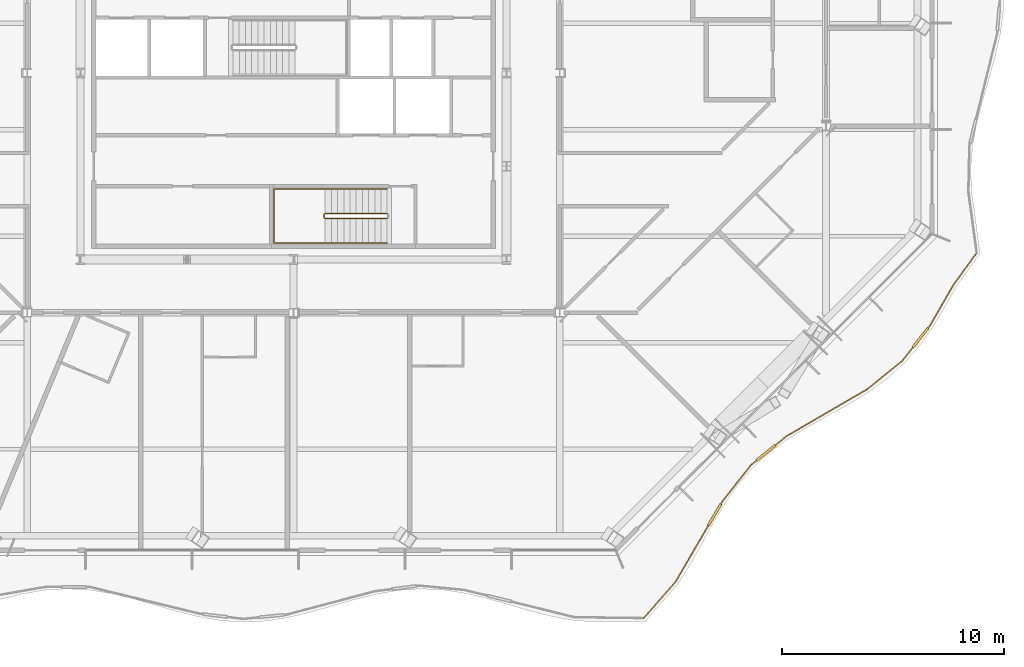
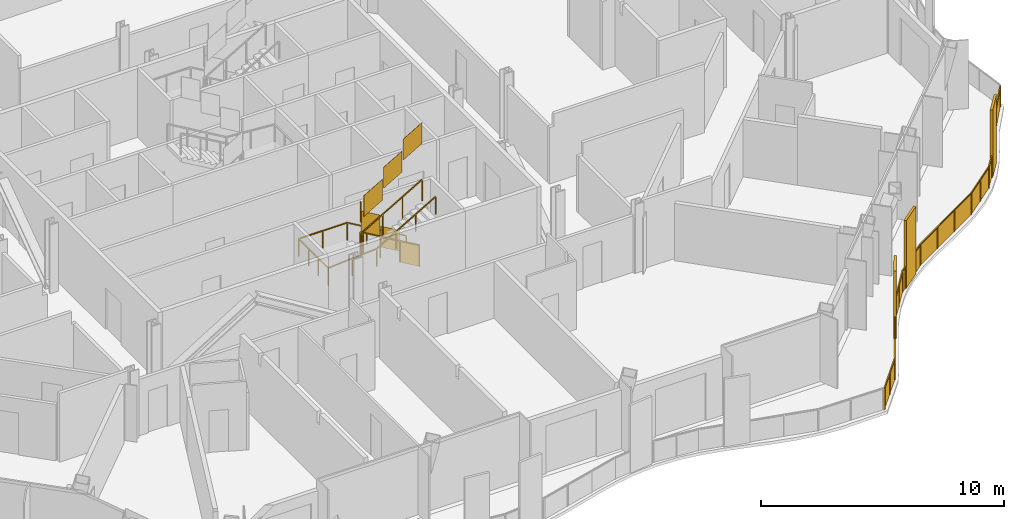
# One storey, part 18 of 22: 3 railings.
"""IFC4 building model written with IfcOpenShell, lengths in metres."""

from ifc_helpers import new_model, si_unit, direction, frame, origin, origin_2d, place, context, subcontext, project, spatial, polyline, rectangle, outline, extrude, material, type_object, element, save


model = new_model("IFC4")

# Units and contexts
model_context = context("Model", 3, precision=1e-05, world=origin(), true_north=direction((0.0, 1.0)))
body_context = subcontext(model_context, "Body", "Model", "MODEL_VIEW")
ifc_project = project(units=[si_unit("LENGTHUNIT", "METRE"), si_unit("AREAUNIT", "SQUARE_METRE"), si_unit("VOLUMEUNIT", "CUBIC_METRE"), si_unit("PLANEANGLEUNIT", "RADIAN"), si_unit("MASSUNIT", "GRAM", prefix="KILO")], contexts=[model_context])

# Site, building, storey
site_placement = place(None, origin())
site = spatial("IfcSite", under=ifc_project, at=site_placement, CompositionType="ELEMENT")
building_placement = place(site_placement, origin())
building = spatial("IfcBuilding", under=site, at=building_placement, Name="Cairn Pilgrim Tower", CompositionType="ELEMENT")
storey_placement = place(building_placement, frame((0.0, 0.0, 175.800048828125)))
storey = spatial("IfcBuildingStorey", under=building, at=storey_placement, Name="L44", CompositionType="ELEMENT", Elevation=175.800048828125)

# Railings
ifc_material_1 = material(Name="Bronze anodised aluminium rail, posts and fin screens with laminated glass infill", Category="aluminium")
railing_type_1 = type_object("IfcRailingType", Name="BALCONY GUARD WITH FIN SCREENS", PredefinedType="GUARDRAIL", material=ifc_material_1)
railing_1_placement = place(storey_placement, frame((22.9853515625, -22.162353515625, 0.0)))
element("IfcRailing", 1, at=railing_1_placement, inside=storey, type_object=railing_type_1, Name="Balcony guard BGF-2 with fin screens", PredefinedType="GUARDRAIL", context=body_context, shape_type="SweptSolid", body=[
    extrude(rectangle(XDim=0.050048828125, YDim=0.050048828125, at=origin_2d()), frame((0.0, 0.0, 1.0751953125), z_axis=(0.659580797082, 0.751633668831, 0.0), x_axis=(-0.751633668831, 0.659580797082, 0.0)), (0.0, 0.0, 1.0), 2.166748046875),
    extrude(rectangle(XDim=1.10009765625, YDim=0.110107421875, at=origin_2d()), frame((3.1953125, 4.659912109375, 0.0), z_axis=(0.0, 0.0, 1.0), x_axis=(0.503412831397, 0.864046017979, 0.0)), (0.0, 0.0, 1.0), 3.39990234375),
    extrude(rectangle(XDim=0.050048828125, YDim=0.050048828125, at=origin_2d()), frame((1.42919921875, 1.628662109375, 1.0751953125), z_axis=(0.503412831397, 0.864046017979, 0.0), x_axis=(-0.864046017979, 0.503412831397, 0.0)), (0.0, 0.0, 1.0), 2.9580078125),
    extrude(rectangle(XDim=0.050048828125, YDim=0.050048828125, at=origin_2d()), frame((3.47216796875, 5.135009765625, 1.0751953125), z_axis=(0.503412831397, 0.864046017979, 0.0), x_axis=(-0.864046017979, 0.503412831397, 0.0)), (0.0, 0.0, 1.0), 0.14990234375),
    extrude(rectangle(XDim=0.050048828125, YDim=0.050048828125, at=origin_2d()), frame((3.547607421875, 5.2646484375, 1.0751953125), z_axis=(0.618558063068, 0.785739093219, 0.0), x_axis=(-0.785739093219, 0.618558063068, 0.0)), (0.0, 0.0, 1.0), 2.078125),
    extrude(rectangle(XDim=1.10009765625, YDim=0.110107421875, at=origin_2d()), frame((5.5078125, 7.445068359375, 0.0), z_axis=(0.0, 0.0, 1.0), x_axis=(0.776523982091, 0.630087696465, 0.0)), (0.0, 0.0, 1.0), 3.39990234375),
    extrude(rectangle(XDim=0.050048828125, YDim=0.050048828125, at=origin_2d()), frame((4.8330078125, 6.8974609375, 1.0751953125), z_axis=(0.776523982091, 0.630087696465, 0.0), x_axis=(-0.630087696465, 0.776523982091, 0.0)), (0.0, 0.0, 1.0), 0.31884765625),
    extrude(rectangle(XDim=0.050048828125, YDim=0.050048828125, at=origin_2d()), frame((5.934814453125, 7.79150390625, 1.0751953125), z_axis=(0.776523982091, 0.630087696465, 0.0), x_axis=(-0.630087696465, 0.776523982091, 0.0)), (0.0, 0.0, 1.0), 0.65673828125),
    extrude(rectangle(XDim=0.050048828125, YDim=0.050048828125, at=origin_2d()), frame((6.44482421875, 8.205322265625, 1.0751953125), z_axis=(0.864224185594, 0.503106904181, 0.0), x_axis=(-0.503106904181, 0.864224185594, 0.0)), (0.0, 0.0, 1.0), 4.212646484375),
    extrude(rectangle(XDim=0.050048828125, YDim=0.050048828125, at=origin_2d()), frame((10.08544921875, 10.32470703125, 1.0751953125), z_axis=(0.776461523916, 0.630164662512, 0.0), x_axis=(-0.630164662512, 0.776461523916, 0.0)), (0.0, 0.0, 1.0), 2.019287109375),
    extrude(rectangle(XDim=1.10009765625, YDim=0.110107421875, at=origin_2d()), frame((12.468017578125, 12.63232421875, 0.0), z_axis=(0.0, 0.0, 1.0), x_axis=(0.618450225482, 0.78582397431, 0.0)), (0.0, 0.0, 1.0), 3.39990234375),
    extrude(rectangle(XDim=0.050048828125, YDim=0.050048828125, at=origin_2d()), frame((11.6533203125, 11.59716796875, 1.0751953125), z_axis=(0.618450225482, 0.78582397431, 0.0), x_axis=(-0.78582397431, 0.618450225482, 0.0)), (0.0, 0.0, 1.0), 0.767333984375),
    extrude(rectangle(XDim=0.050048828125, YDim=0.050048828125, at=origin_2d()), frame((12.80810546875, 13.064453125, 1.0751953125), z_axis=(0.618450225482, 0.78582397431, 0.0), x_axis=(-0.78582397431, 0.618450225482, 0.0)), (0.0, 0.0, 1.0), 0.15576171875),
    extrude(rectangle(XDim=0.050048828125, YDim=0.050048828125, at=origin_2d()), frame((12.904541015625, 13.18701171875, 1.0751953125), z_axis=(0.498246823392, 0.86703523745, 0.0), x_axis=(-0.86703523745, 0.498246823392, 0.0)), (0.0, 0.0, 1.0), 2.1064453125),
    extrude(rectangle(XDim=0.050048828125, YDim=0.050048828125, at=origin_2d()), frame((13.9541015625, 15.013427734375, 1.0751953125), z_axis=(0.587371348525, 0.809317551355, 0.0), x_axis=(-0.809317551355, 0.587371348525, 0.0)), (0.0, 0.0, 1.0), 1.7236328125),
    extrude(rectangle(XDim=0.050048828125, YDim=0.050048828125, at=origin_2d()), origin(), (0.0, 0.0, 1.0), 1.050048828125),
    extrude(rectangle(XDim=0.050048828125, YDim=0.050048828125, at=origin_2d()), frame((0.714599609375, 0.814453125, 0.0)), (0.0, 0.0, 1.0), 1.050048828125),
    extrude(rectangle(XDim=0.050048828125, YDim=0.050048828125, at=origin_2d()), frame((1.42919921875, 1.628662109375, 0.0)), (0.0, 0.0, 1.0), 1.050048828125),
    extrude(rectangle(XDim=0.050048828125, YDim=0.050048828125, at=origin_2d()), frame((2.16748046875, 2.895751953125, 0.0)), (0.0, 0.0, 1.0), 1.050048828125),
    extrude(rectangle(XDim=0.050048828125, YDim=0.050048828125, at=origin_2d()), frame((2.90576171875, 4.162841796875, 0.0)), (0.0, 0.0, 1.0), 1.050048828125),
    extrude(rectangle(XDim=0.050048828125, YDim=0.050048828125, at=origin_2d()), frame((3.484619140625, 5.15673828125, 0.0)), (0.0, 0.0, 1.0), 1.050048828125),
    extrude(rectangle(XDim=0.050048828125, YDim=0.050048828125, at=origin_2d()), frame((3.547607421875, 5.2646484375, 0.0)), (0.0, 0.0, 1.0), 1.050048828125),
    extrude(rectangle(XDim=0.050048828125, YDim=0.050048828125, at=origin_2d()), frame((4.1904296875, 6.0810546875, 0.0)), (0.0, 0.0, 1.0), 1.050048828125),
    extrude(rectangle(XDim=0.050048828125, YDim=0.050048828125, at=origin_2d()), frame((4.8330078125, 6.8974609375, 0.0)), (0.0, 0.0, 1.0), 1.050048828125),
    extrude(rectangle(XDim=0.050048828125, YDim=0.050048828125, at=origin_2d()), frame((5.061279296875, 7.08251953125, 0.0)), (0.0, 0.0, 1.0), 1.050048828125),
    extrude(rectangle(XDim=0.050048828125, YDim=0.050048828125, at=origin_2d()), frame((5.954345703125, 7.807373046875, 0.0)), (0.0, 0.0, 1.0), 1.050048828125),
    extrude(rectangle(XDim=0.050048828125, YDim=0.050048828125, at=origin_2d()), frame((6.44482421875, 8.205322265625, 0.0)), (0.0, 0.0, 1.0), 1.050048828125),
    extrude(rectangle(XDim=0.050048828125, YDim=0.050048828125, at=origin_2d()), frame((7.658447265625, 8.911865234375, 0.0)), (0.0, 0.0, 1.0), 1.050048828125),
    extrude(rectangle(XDim=0.050048828125, YDim=0.050048828125, at=origin_2d()), frame((8.871826171875, 9.6181640625, 0.0)), (0.0, 0.0, 1.0), 1.050048828125),
    extrude(rectangle(XDim=0.050048828125, YDim=0.050048828125, at=origin_2d()), frame((10.08544921875, 10.32470703125, 0.0)), (0.0, 0.0, 1.0), 1.050048828125),
    extrude(rectangle(XDim=0.050048828125, YDim=0.050048828125, at=origin_2d()), frame((10.869384765625, 10.9609375, 0.0)), (0.0, 0.0, 1.0), 1.050048828125),
    extrude(rectangle(XDim=0.050048828125, YDim=0.050048828125, at=origin_2d()), frame((11.6533203125, 11.59716796875, 0.0)), (0.0, 0.0, 1.0), 1.050048828125),
    extrude(rectangle(XDim=0.050048828125, YDim=0.050048828125, at=origin_2d()), frame((12.1123046875, 12.180419921875, 0.0)), (0.0, 0.0, 1.0), 1.050048828125),
    extrude(rectangle(XDim=0.050048828125, YDim=0.050048828125, at=origin_2d()), frame((12.82373046875, 13.084228515625, 0.0)), (0.0, 0.0, 1.0), 1.050048828125),
    extrude(rectangle(XDim=0.050048828125, YDim=0.050048828125, at=origin_2d()), frame((12.904541015625, 13.18701171875, 0.0)), (0.0, 0.0, 1.0), 1.050048828125),
    extrude(rectangle(XDim=0.050048828125, YDim=0.050048828125, at=origin_2d()), frame((13.42919921875, 14.10009765625, 0.0)), (0.0, 0.0, 1.0), 1.050048828125),
    extrude(rectangle(XDim=0.050048828125, YDim=0.050048828125, at=origin_2d()), frame((13.9541015625, 15.013427734375, 0.0)), (0.0, 0.0, 1.0), 1.050048828125),
    extrude(rectangle(XDim=0.050048828125, YDim=0.050048828125, at=origin_2d()), frame((14.966552734375, 16.408447265625, 0.0)), (0.0, 0.0, 1.0), 1.050048828125),
    extrude(outline(polyline([(0.02490234375, 0.0), (1.058349609375, 0.0), (1.058349609375, 1.050048828125), (0.02490234375, 1.050048828125), (0.02490234375, 0.0)])), frame((-0.00439453125, 0.00390625, 0.0), z_axis=(0.751633668831, -0.659580797082, 0.0), x_axis=(0.659580797082, 0.751633668831, 0.0)), (0.0, 0.0, 1.0), 0.011962890625),
    extrude(outline(polyline([(0.02490234375, 0.0), (1.058349609375, 0.0), (1.058349609375, 1.050048828125), (0.02490234375, 1.050048828125), (0.02490234375, 0.0)])), frame((0.710205078125, 0.818359375, 0.0), z_axis=(0.751633668831, -0.659580797082, 0.0), x_axis=(0.659580797082, 0.751633668831, 0.0)), (0.0, 0.0, 1.0), 0.011962890625),
    extrude(outline(polyline([(0.02490234375, 0.0), (1.44140625, 0.0), (1.44140625, 1.050048828125), (0.02490234375, 1.050048828125), (0.02490234375, 0.0)])), frame((1.424072265625, 1.631591796875, 0.0), z_axis=(0.864046017979, -0.503412831397, 0.0), x_axis=(0.503412831397, 0.864046017979, 0.0)), (0.0, 0.0, 1.0), 0.011962890625),
    extrude(outline(polyline([(0.02490234375, 0.0), (1.44140625, 0.0), (1.44140625, 1.050048828125), (0.02490234375, 1.050048828125), (0.02490234375, 0.0)])), frame((2.162353515625, 2.89892578125, 0.0), z_axis=(0.864046017979, -0.503412831397, 0.0), x_axis=(0.503412831397, 0.864046017979, 0.0)), (0.0, 0.0, 1.0), 0.011962890625),
    extrude(outline(polyline([(0.02490234375, 0.0), (0.099853515625, 0.0), (0.099853515625, 1.050048828125), (0.02490234375, 1.050048828125), (0.02490234375, 0.0)])), frame((3.4794921875, 5.15966796875, 0.0), z_axis=(0.864046017979, -0.503412831397, 0.0), x_axis=(0.503412831397, 0.864046017979, 0.0)), (0.0, 0.0, 1.0), 0.011962890625),
    extrude(outline(polyline([(0.02490234375, 0.0), (1.013916015625, 0.0), (1.013916015625, 1.050048828125), (0.02490234375, 1.050048828125), (0.02490234375, 0.0)])), frame((3.54296875, 5.268310546875, 0.0), z_axis=(0.785739093219, -0.618558063068, 0.0), x_axis=(0.618558063068, 0.785739093219, 0.0)), (0.0, 0.0, 1.0), 0.011962890625),
    extrude(outline(polyline([(0.02490234375, 0.0), (1.013916015625, 0.0), (1.013916015625, 1.050048828125), (0.02490234375, 1.050048828125), (0.02490234375, 0.0)])), frame((4.185546875, 6.084716796875, 0.0), z_axis=(0.785739093219, -0.618558063068, 0.0), x_axis=(0.618558063068, 0.785739093219, 0.0)), (0.0, 0.0, 1.0), 0.011962890625),
    extrude(outline(polyline([(0.02490234375, 0.0), (0.268798828125, 0.0), (0.268798828125, 1.050048828125), (0.02490234375, 1.050048828125), (0.02490234375, 0.0)])), frame((4.829345703125, 6.902099609375, 0.0), z_axis=(0.630087696465, -0.776523982091, 0.0), x_axis=(0.776523982091, 0.630087696465, 0.0)), (0.0, 0.0, 1.0), 0.011962890625),
    extrude(outline(polyline([(0.02490234375, 0.0), (0.606689453125, 0.0), (0.606689453125, 1.050048828125), (0.02490234375, 1.050048828125), (0.02490234375, 0.0)])), frame((5.950439453125, 7.81201171875, 0.0), z_axis=(0.630087696465, -0.776523982091, 0.0), x_axis=(0.776523982091, 0.630087696465, 0.0)), (0.0, 0.0, 1.0), 0.011962890625),
    extrude(outline(polyline([(0.02490234375, 0.0), (1.379150390625, 0.0), (1.379150390625, 1.050048828125), (0.02490234375, 1.050048828125), (0.02490234375, 0.0)])), frame((6.44189453125, 8.21044921875, 0.0), z_axis=(0.503106904181, -0.864224185594, 0.0), x_axis=(0.864224185594, 0.503106904181, 0.0)), (0.0, 0.0, 1.0), 0.011962890625),
    extrude(outline(polyline([(0.02490234375, 0.0), (1.379150390625, 0.0), (1.379150390625, 1.050048828125), (0.02490234375, 1.050048828125), (0.02490234375, 0.0)])), frame((7.6552734375, 8.9169921875, 0.0), z_axis=(0.503106904181, -0.864224185594, 0.0), x_axis=(0.864224185594, 0.503106904181, 0.0)), (0.0, 0.0, 1.0), 0.011962890625),
    extrude(outline(polyline([(0.02490234375, 0.0), (1.379150390625, 0.0), (1.379150390625, 1.050048828125), (0.02490234375, 1.050048828125), (0.02490234375, 0.0)])), frame((8.868896484375, 9.62353515625, 0.0), z_axis=(0.503106904181, -0.864224185594, 0.0), x_axis=(0.864224185594, 0.503106904181, 0.0)), (0.0, 0.0, 1.0), 0.011962890625),
    extrude(outline(polyline([(0.02490234375, 0.0), (0.984619140625, 0.0), (0.984619140625, 1.050048828125), (0.02490234375, 1.050048828125), (0.02490234375, 0.0)])), frame((10.081787109375, 10.329345703125, 0.0), z_axis=(0.630164662512, -0.776461523916, 0.0), x_axis=(0.776461523916, 0.630164662512, 0.0)), (0.0, 0.0, 1.0), 0.011962890625),
    extrude(outline(polyline([(0.02490234375, 0.0), (0.984619140625, 0.0), (0.984619140625, 1.050048828125), (0.02490234375, 1.050048828125), (0.02490234375, 0.0)])), frame((10.86572265625, 10.965576171875, 0.0), z_axis=(0.630164662512, -0.776461523916, 0.0), x_axis=(0.776461523916, 0.630164662512, 0.0)), (0.0, 0.0, 1.0), 0.011962890625),
    extrude(outline(polyline([(0.02490234375, 0.0), (0.71728515625, 0.0), (0.71728515625, 1.050048828125), (0.02490234375, 1.050048828125), (0.02490234375, 0.0)])), frame((11.648681640625, 11.600830078125, 0.0), z_axis=(0.78582397431, -0.618450225482, 0.0), x_axis=(0.618450225482, 0.78582397431, 0.0)), (0.0, 0.0, 1.0), 0.011962890625),
    extrude(outline(polyline([(0.02490234375, 0.0), (0.105712890625, 0.0), (0.105712890625, 1.050048828125), (0.02490234375, 1.050048828125), (0.02490234375, 0.0)])), frame((12.81884765625, 13.087890625, 0.0), z_axis=(0.78582397431, -0.618450225482, 0.0), x_axis=(0.618450225482, 0.78582397431, 0.0)), (0.0, 0.0, 1.0), 0.011962890625),
    extrude(outline(polyline([(0.02490234375, 0.0), (1.0283203125, 0.0), (1.0283203125, 1.050048828125), (0.02490234375, 1.050048828125), (0.02490234375, 0.0)])), frame((12.8994140625, 13.18994140625, 0.0), z_axis=(0.86703523745, -0.498246823392, 0.0), x_axis=(0.498246823392, 0.86703523745, 0.0)), (0.0, 0.0, 1.0), 0.011962890625),
    extrude(outline(polyline([(0.02490234375, 0.0), (1.0283203125, 0.0), (1.0283203125, 1.050048828125), (0.02490234375, 1.050048828125), (0.02490234375, 0.0)])), frame((13.424072265625, 14.103271484375, 0.0), z_axis=(0.86703523745, -0.498246823392, 0.0), x_axis=(0.498246823392, 0.86703523745, 0.0)), (0.0, 0.0, 1.0), 0.011962890625),
    extrude(outline(polyline([(0.02490234375, 0.0), (1.69873046875, 0.0), (1.69873046875, 1.050048828125), (0.02490234375, 1.050048828125), (0.02490234375, 0.0)])), frame((13.94921875, 15.016845703125, 0.0), z_axis=(0.809317551355, -0.587371348525, 0.0), x_axis=(0.587371348525, 0.809317551355, 0.0)), (0.0, 0.0, 1.0), 0.011962890625),
])
ifc_material_2 = material(Name="Painted steel", Category="steel")
railing_type_2 = type_object("IfcRailingType", Name="STAIR GUARD 1100", PredefinedType="GUARDRAIL", material=ifc_material_2)
railing_2_placement = place(storey_placement, frame((11.425048828125, -3.925048828125, 0.16357421875)))
element("IfcRailing", 2, at=railing_2_placement, inside=storey, type_object=railing_type_2, Name="L44 ST-A stair guard 1", PredefinedType="GUARDRAIL", context=body_context, shape_type="SweptSolid", body=[
    extrude(rectangle(XDim=0.048095703125, YDim=0.048095703125, at=origin_2d()), frame((0.0, 0.0, 1.076171875), z_axis=(-0.863360870873, 0.0, 0.504586966384), x_axis=(0.0, -1.0, 0.0)), (0.0, 0.0, 1.0), 3.2431640625),
    extrude(rectangle(XDim=0.048095703125, YDim=0.048095703125, at=origin_2d()), frame((-2.800048828125, 0.0, 2.71240234375), z_axis=(-0.707106781187, -0.707106781187, 0.0), x_axis=(0.707106781187, -0.707106781187, 0.0)), (0.0, 0.0, 1.0), 0.07080078125),
    extrude(rectangle(XDim=0.048095703125, YDim=0.048095703125, at=origin_2d()), frame((-2.85009765625, -0.050048828125, 2.71240234375), z_axis=(0.0, -1.0, 0.0), x_axis=(1.0, 0.0, 0.0)), (0.0, 0.0, 1.0), 0.125),
    extrude(rectangle(XDim=0.048095703125, YDim=0.048095703125, at=origin_2d()), frame((-2.85009765625, -0.175048828125, 2.71240234375), z_axis=(0.280916556609, -0.279546231943, 0.91811752648), x_axis=(0.705375805398, 0.708833529934, 0.0)), (0.0, 0.0, 1.0), 0.17822265625),
    extrude(rectangle(XDim=0.048095703125, YDim=0.048095703125, at=origin_2d()), frame((-2.800048828125, -0.224853515625, 2.8759765625), z_axis=(0.863393664356, 0.0, 0.504530851732), x_axis=(0.0, 1.0, 0.0)), (0.0, 0.0, 1.0), 3.2431640625),
    extrude(rectangle(XDim=0.0419921875, YDim=0.0419921875, at=origin_2d()), origin(), (0.0, 0.0, 1.0), 1.052001953125),
    extrude(rectangle(XDim=0.0419921875, YDim=0.0419921875, at=origin_2d()), frame((-0.933349609375, 0.0, 0.54541015625)), (0.0, 0.0, 1.0), 1.052001953125),
    extrude(rectangle(XDim=0.0419921875, YDim=0.0419921875, at=origin_2d()), frame((-1.86669921875, 0.0, 1.091064453125)), (0.0, 0.0, 1.0), 1.052001953125),
    extrude(rectangle(XDim=0.0419921875, YDim=0.0419921875, at=origin_2d()), frame((-2.800048828125, 0.0, 1.636474609375)), (0.0, 0.0, 1.0), 1.052001953125),
    extrude(rectangle(XDim=0.0419921875, YDim=0.0419921875, at=origin_2d()), frame((-2.85009765625, -0.050048828125, 1.636474609375)), (0.0, 0.0, 1.0), 1.052001953125),
    extrude(rectangle(XDim=0.0419921875, YDim=0.0419921875, at=origin_2d()), frame((-2.85009765625, -0.175048828125, 1.636474609375)), (0.0, 0.0, 1.0), 1.052001953125),
    extrude(rectangle(XDim=0.0419921875, YDim=0.0419921875, at=origin_2d()), frame((-2.800048828125, -0.224853515625, 1.800048828125)), (0.0, 0.0, 1.0), 1.052001953125),
    extrude(rectangle(XDim=0.0419921875, YDim=0.0419921875, at=origin_2d()), frame((-1.86669921875, -0.224853515625, 2.345458984375)), (0.0, 0.0, 1.0), 1.052001953125),
    extrude(rectangle(XDim=0.0419921875, YDim=0.0419921875, at=origin_2d()), frame((-0.933349609375, -0.224853515625, 2.890869140625)), (0.0, 0.0, 1.0), 1.052001953125),
    extrude(rectangle(XDim=0.0419921875, YDim=0.0419921875, at=origin_2d()), frame((0.0, -0.224853515625, 3.436279296875)), (0.0, 0.0, 1.0), 1.052001953125),
    extrude(outline(polyline([(0.02099609375, 0.01220703125), (0.912353515625, 0.533203125), (0.912353515625, 1.585205078125), (0.02099609375, 1.064208984375), (0.02099609375, 0.01220703125)])), frame((0.0, -0.005859375, 0.0), z_axis=(0.0, 1.0, 0.0), x_axis=(-1.0, 0.0, 0.0)), (0.0, 0.0, 1.0), 0.011962890625),
    extrude(outline(polyline([(0.02099609375, 0.557861328125), (0.912353515625, 1.07861328125), (0.912353515625, 2.130615234375), (0.02099609375, 1.60986328125), (0.02099609375, 0.557861328125)])), frame((-0.933349609375, -0.005859375, 0.54541015625), z_axis=(0.0, 1.0, 0.0), x_axis=(-1.0, 0.0, 0.0)), (0.0, 0.0, 1.0), 0.011962890625),
    extrude(outline(polyline([(0.02099609375, 1.103271484375), (0.912353515625, 1.624267578125), (0.912353515625, 2.67626953125), (0.02099609375, 2.1552734375), (0.02099609375, 1.103271484375)])), frame((-1.86669921875, -0.005859375, 1.091064453125), z_axis=(0.0, 1.0, 0.0), x_axis=(-1.0, 0.0, 0.0)), (0.0, 0.0, 1.0), 0.011962890625),
    extrude(outline(polyline([(0.02099609375, 1.636474609375), (0.10400390625, 1.636474609375), (0.10400390625, 2.6884765625), (0.02099609375, 2.6884765625), (0.02099609375, 1.636474609375)])), frame((-2.84423828125, -0.050048828125, 1.636474609375), z_axis=(-1.0, 0.0, 0.0), x_axis=(0.0, -1.0, 0.0)), (0.0, 0.0, 1.0), 0.011962890625),
    extrude(outline(polyline([(0.02099609375, 1.812255859375), (0.912353515625, 2.333251953125), (0.912353515625, 3.38525390625), (0.02099609375, 2.8642578125), (0.02099609375, 1.812255859375)])), frame((-2.800048828125, -0.21875, 1.800048828125), z_axis=(0.0, -1.0, 0.0), x_axis=(1.0, 0.0, 0.0)), (0.0, 0.0, 1.0), 0.011962890625),
    extrude(outline(polyline([(0.02099609375, 2.357666015625), (0.912353515625, 2.878662109375), (0.912353515625, 3.9306640625), (0.02099609375, 3.40966796875), (0.02099609375, 2.357666015625)])), frame((-1.86669921875, -0.21875, 2.345458984375), z_axis=(0.0, -1.0, 0.0), x_axis=(1.0, 0.0, 0.0)), (0.0, 0.0, 1.0), 0.011962890625),
    extrude(outline(polyline([(0.02099609375, 2.903076171875), (0.912353515625, 3.424072265625), (0.912353515625, 4.47607421875), (0.02099609375, 3.955078125), (0.02099609375, 2.903076171875)])), frame((-0.933349609375, -0.21875, 2.890869140625), z_axis=(0.0, -1.0, 0.0), x_axis=(1.0, 0.0, 0.0)), (0.0, 0.0, 1.0), 0.011962890625),
])
railing_type_3 = type_object("IfcRailingType", Name="STAIR HANDRAIL 900", PredefinedType="HANDRAIL", material=ifc_material_2)
railing_3_placement = place(storey_placement, frame((11.425048828125, -2.824951171875, 0.16357421875)))
element("IfcRailing", 3, at=railing_3_placement, inside=storey, type_object=railing_type_3, Name="L44 ST-A stair handrail 1", PredefinedType="HANDRAIL", context=body_context, shape_type="SweptSolid", body=[
    extrude(rectangle(XDim=0.048095703125, YDim=0.048095703125, at=origin_2d()), frame((0.0, 0.0, 0.8759765625), z_axis=(-0.863360870873, 0.0, 0.504586966384), x_axis=(0.0, -1.0, 0.0)), (0.0, 0.0, 1.0), 3.2431640625),
    extrude(rectangle(XDim=0.048095703125, YDim=0.048095703125, at=origin_2d()), frame((-2.800048828125, 0.0, 2.51220703125), z_axis=(-1.0, 0.0, 0.0), x_axis=(0.0, -1.0, 0.0)), (0.0, 0.0, 1.0), 2.300048828125),
    extrude(rectangle(XDim=0.048095703125, YDim=0.048095703125, at=origin_2d()), frame((-5.10009765625, 0.0, 2.51220703125), z_axis=(0.0, -1.0, 0.0), x_axis=(1.0, 0.0, 0.0)), (0.0, 0.0, 1.0), 2.425048828125),
    extrude(rectangle(XDim=0.048095703125, YDim=0.048095703125, at=origin_2d()), frame((-5.10009765625, -2.425048828125, 2.51220703125), z_axis=(0.997480687736, 0.0, 0.070938548008), x_axis=(0.0, 1.0, 0.0)), (0.0, 0.0, 1.0), 2.305908203125),
    extrude(rectangle(XDim=0.048095703125, YDim=0.048095703125, at=origin_2d()), frame((-2.800048828125, -2.425048828125, 2.67578125), z_axis=(0.863393664356, 0.0, 0.504530851732), x_axis=(0.0, 1.0, 0.0)), (0.0, 0.0, 1.0), 3.2431640625),
    extrude(rectangle(XDim=0.0419921875, YDim=0.0419921875, at=origin_2d()), origin(), (0.0, 0.0, 1.0), 0.851806640625),
    extrude(rectangle(XDim=0.0419921875, YDim=0.0419921875, at=origin_2d()), frame((-0.933349609375, 0.0, 0.54541015625)), (0.0, 0.0, 1.0), 0.851806640625),
    extrude(rectangle(XDim=0.0419921875, YDim=0.0419921875, at=origin_2d()), frame((-1.86669921875, 0.0, 1.091064453125)), (0.0, 0.0, 1.0), 0.851806640625),
    extrude(rectangle(XDim=0.0419921875, YDim=0.0419921875, at=origin_2d()), frame((-2.800048828125, 0.0, 1.636474609375)), (0.0, 0.0, 1.0), 0.851806640625),
    extrude(rectangle(XDim=0.0419921875, YDim=0.0419921875, at=origin_2d()), frame((-3.9501953125, 0.0, 1.636474609375)), (0.0, 0.0, 1.0), 0.851806640625),
    extrude(rectangle(XDim=0.0419921875, YDim=0.0419921875, at=origin_2d()), frame((-5.10009765625, 0.0, 1.636474609375)), (0.0, 0.0, 1.0), 0.851806640625),
    extrude(rectangle(XDim=0.0419921875, YDim=0.0419921875, at=origin_2d()), frame((-5.10009765625, -0.808349609375, 1.636474609375)), (0.0, 0.0, 1.0), 0.851806640625),
    extrude(rectangle(XDim=0.0419921875, YDim=0.0419921875, at=origin_2d()), frame((-5.10009765625, -1.61669921875, 1.636474609375)), (0.0, 0.0, 1.0), 0.851806640625),
    extrude(rectangle(XDim=0.0419921875, YDim=0.0419921875, at=origin_2d()), frame((-5.10009765625, -2.425048828125, 1.636474609375)), (0.0, 0.0, 1.0), 0.851806640625),
    extrude(rectangle(XDim=0.0419921875, YDim=0.0419921875, at=origin_2d()), frame((-3.9501953125, -2.425048828125, 1.71826171875)), (0.0, 0.0, 1.0), 0.851806640625),
    extrude(rectangle(XDim=0.0419921875, YDim=0.0419921875, at=origin_2d()), frame((-2.800048828125, -2.425048828125, 1.800048828125)), (0.0, 0.0, 1.0), 0.851806640625),
    extrude(rectangle(XDim=0.0419921875, YDim=0.0419921875, at=origin_2d()), frame((-1.86669921875, -2.425048828125, 2.345458984375)), (0.0, 0.0, 1.0), 0.851806640625),
    extrude(rectangle(XDim=0.0419921875, YDim=0.0419921875, at=origin_2d()), frame((-0.933349609375, -2.425048828125, 2.890869140625)), (0.0, 0.0, 1.0), 0.851806640625),
    extrude(rectangle(XDim=0.0419921875, YDim=0.0419921875, at=origin_2d()), frame((0.0, -2.425048828125, 3.436279296875)), (0.0, 0.0, 1.0), 0.851806640625),
])

save(model, "model.ifc")
